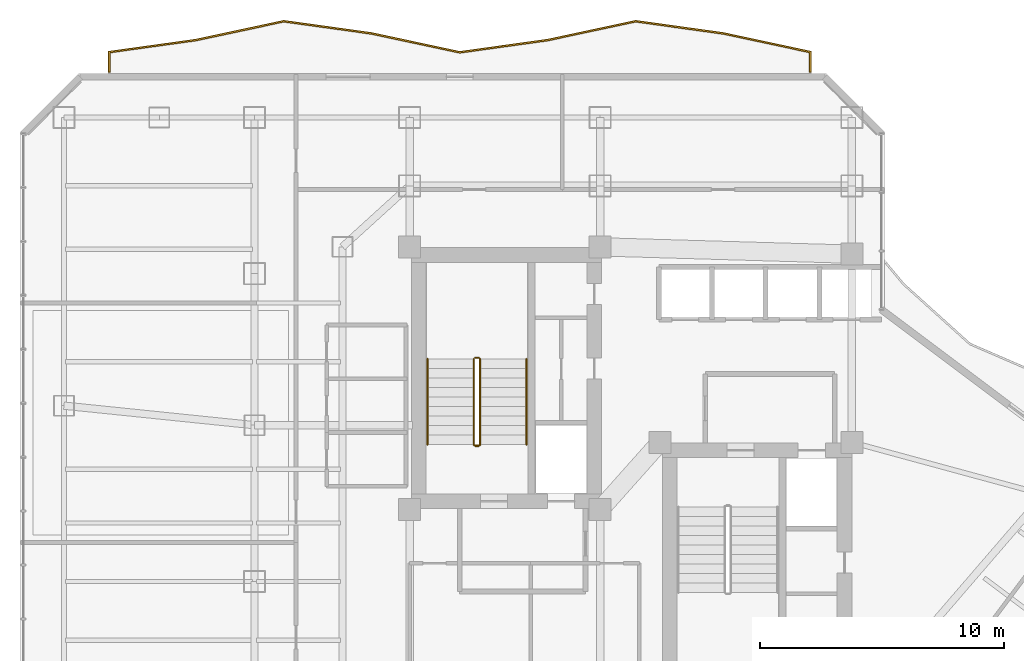
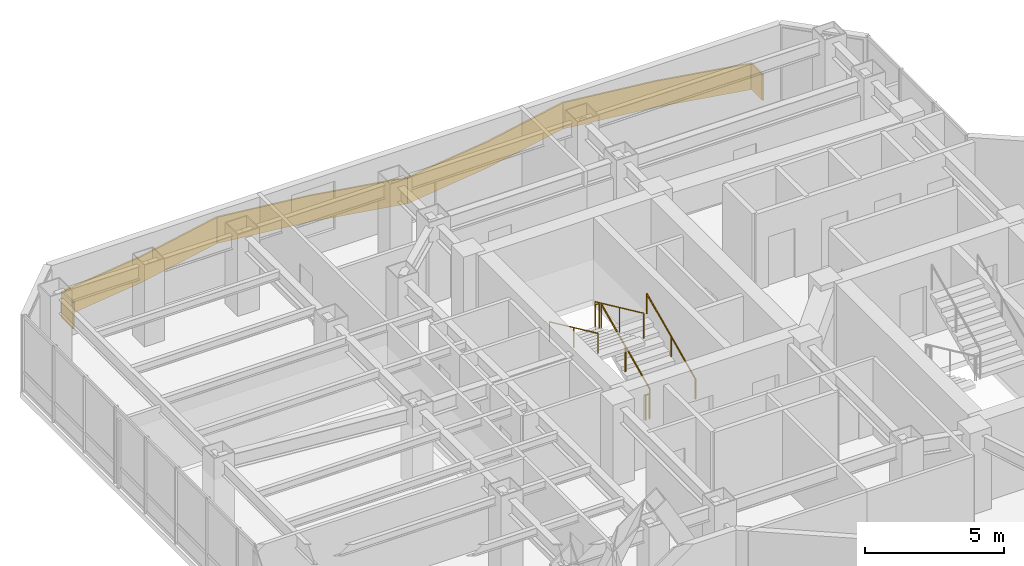
# One storey, part 28 of 29: 8 railings.
"""IFC4 building model written with IfcOpenShell, lengths in metres."""

from ifc_helpers import new_model, si_unit, direction, frame, origin, origin_2d, place, context, subcontext, project, spatial, polyline, circle, outline, extrude, material, layer, layer_set, type_object, element, save


model = new_model("IFC4")

# Units and contexts
model_context = context("Model", 3, precision=1e-05, world=origin(), true_north=direction((0.0, 1.0)))
body_context = subcontext(model_context, "Body", "Model", "MODEL_VIEW")
ifc_project = project(units=[si_unit("LENGTHUNIT", "METRE"), si_unit("AREAUNIT", "SQUARE_METRE"), si_unit("VOLUMEUNIT", "CUBIC_METRE"), si_unit("PLANEANGLEUNIT", "RADIAN"), si_unit("MASSUNIT", "GRAM", prefix="KILO")], contexts=[model_context])

# Site, building, storey
site_placement = place(None, origin())
site = spatial("IfcSite", under=ifc_project, at=site_placement, CompositionType="ELEMENT")
building_placement = place(site_placement, origin())
building = spatial("IfcBuilding", under=site, at=building_placement, Name="Hatsunagi Terrace Concourse", CompositionType="ELEMENT")
storey_placement = place(building_placement, frame((0.0, 0.0, 108.449951171875)))
storey = spatial("IfcBuildingStorey", under=building, at=storey_placement, Name="L28", CompositionType="ELEMENT", Elevation=108.449951171875)

# Railings
ifc_material_1 = material(Name="Laminated Glass and Stainless Steel Guard", Category="steel")
ifc_layer_1 = layer(ifc_material_1, 0.070068359375)
ifc_layer_set_1 = layer_set([ifc_layer_1], Name="BalconyGlassGuardRail_1150")
railing_type_1 = type_object("IfcRailingType", Name="BalconyGlassGuardRail_1150", PredefinedType="BALUSTRADE", material=ifc_layer_set_1)
railing_1_placement = place(storey_placement, origin())
element("IfcRailing", 1, at=railing_1_placement, inside=storey, type_object=railing_type_1, Name="Engawa Balcony Guard GRD-01 L28-BN-1", PredefinedType="BALUSTRADE", context=body_context, shape_type="SweptSolid", body=[
    extrude(outline(polyline([(13.215087890625, 50.449951171875), (13.284912109375, 50.449951171875), (13.284912109375, 51.239501953125), (16.815185546875, 51.7314453125), (20.4033203125, 52.49951171875), (23.98486328125, 52.00146484375), (27.5966796875, 51.2275390625), (31.215087890625, 51.7314453125), (34.80322265625, 52.49951171875), (38.385009765625, 52.00146484375), (41.9150390625, 51.24560546875), (41.9150390625, 50.449951171875), (41.985107421875, 50.449951171875), (41.985107421875, 51.30224609375), (38.397216796875, 52.070556640625), (34.80078125, 52.570556640625), (31.202880859375, 51.800537109375), (27.599365234375, 51.298583984375), (23.9970703125, 52.070556640625), (20.400634765625, 52.570556640625), (16.802978515625, 51.800537109375), (13.215087890625, 51.300537109375), (13.215087890625, 50.449951171875)])), origin(), (0.0, 0.0, 1.0), 1.150146484375),
])
ifc_material_2 = material(Name="Stainless steel", Category="steel")
ifc_layer_2 = layer(ifc_material_2, 0.044921875)
ifc_layer_set_2 = layer_set([ifc_layer_2], Name="StairPitchHandrail_Tower2000")
railing_type_2 = type_object("IfcRailingType", Name="StairPitchHandrail_Tower2000", PredefinedType="HANDRAIL", material=ifc_layer_set_2)
railing_2_placement = place(storey_placement, frame((30.330078125, 35.199951171875, 0.179931640625)))
element("IfcRailing", 2, at=railing_2_placement, inside=storey, type_object=railing_type_2, Name="L28 ST-A stair handrail 1", PredefinedType="HANDRAIL", context=body_context, shape_type="SweptSolid", body=[
    extrude(circle(Radius=0.02392578125, at=origin_2d()), frame((0.0, 0.0, 0.8759765625), z_axis=(0.0, 0.907948293929, 0.419082206198), x_axis=(-1.0, 0.0, 0.0)), (0.0, 0.0, 1.0), 3.865966796875),
    extrude(circle(Radius=0.02099609375, at=origin_2d()), origin(), (0.0, 0.0, 1.0), 0.851806640625),
    extrude(circle(Radius=0.02099609375, at=origin_2d()), frame((0.0, 1.7548828125, 0.81005859375)), (0.0, 0.0, 1.0), 0.851806640625),
    extrude(circle(Radius=0.02099609375, at=origin_2d()), frame((0.0, 3.510009765625, 1.6201171875)), (0.0, 0.0, 1.0), 0.851806640625),
])
railing_3_placement = place(storey_placement, frame((26.280029296875, 38.7099609375, 1.97998046875)))
element("IfcRailing", 3, at=railing_3_placement, inside=storey, type_object=railing_type_2, Name="L28 ST-A stair handrail 2", PredefinedType="HANDRAIL", context=body_context, shape_type="SweptSolid", body=[
    extrude(circle(Radius=0.02392578125, at=origin_2d()), frame((0.0, 0.0, 0.8759765625), z_axis=(0.0, -0.907948293929, 0.419082206198), x_axis=(1.0, 0.0, 0.0)), (0.0, 0.0, 1.0), 3.865966796875),
    extrude(circle(Radius=0.02099609375, at=origin_2d()), origin(), (0.0, 0.0, 1.0), 0.851806640625),
    extrude(circle(Radius=0.02099609375, at=origin_2d()), frame((0.0, -1.7548828125, 0.81005859375)), (0.0, 0.0, 1.0), 0.851806640625),
    extrude(circle(Radius=0.02099609375, at=origin_2d()), frame((0.0, -3.510009765625, 1.6201171875)), (0.0, 0.0, 1.0), 0.851806640625),
])
ifc_material_3 = material(Name="Stainless steel", Category="steel")
ifc_layer_3 = layer(ifc_material_3, 0.06005859375)
ifc_layer_set_3 = layer_set([ifc_layer_3], Name="StairWellGuard_Tower2000")
railing_type_3 = type_object("IfcRailingType", Name="StairWellGuard_Tower2000", PredefinedType="BALUSTRADE", material=ifc_layer_set_3)
railing_4_placement = place(storey_placement, frame((28.429931640625, 35.199951171875, 0.179931640625)))
element("IfcRailing", 4, at=railing_4_placement, inside=storey, type_object=railing_type_3, Name="L28 ST-A stair guard 1", PredefinedType="BALUSTRADE", context=body_context, shape_type="SweptSolid", body=[
    extrude(circle(Radius=0.02392578125, at=origin_2d()), frame((0.0, 0.0, 1.09619140625), z_axis=(0.0, 0.907948293929, 0.419082206198), x_axis=(-1.0, 0.0, 0.0)), (0.0, 0.0, 1.0), 3.865966796875),
    extrude(circle(Radius=0.02099609375, at=origin_2d()), origin(), (0.0, 0.0, 1.0), 1.072021484375),
    extrude(circle(Radius=0.02099609375, at=origin_2d()), frame((0.0, 1.7548828125, 0.81005859375)), (0.0, 0.0, 1.0), 1.072021484375),
    extrude(circle(Radius=0.02099609375, at=origin_2d()), frame((0.0, 3.510009765625, 1.6201171875)), (0.0, 0.0, 1.0), 1.072021484375),
])
railing_5_placement = place(storey_placement, frame((28.3798828125, 38.760009765625, 1.800048828125)))
element("IfcRailing", 5, at=railing_5_placement, inside=storey, type_object=railing_type_3, Name="L28 ST-A stair guard 2", PredefinedType="BALUSTRADE", context=body_context, shape_type="SweptSolid", body=[
    extrude(circle(Radius=0.02392578125, at=origin_2d()), frame((0.0, 0.0, 1.09619140625), z_axis=(-1.0, 0.0, 0.0), x_axis=(0.0, -1.0, 0.0)), (0.0, 0.0, 1.0), 0.14990234375),
    extrude(circle(Radius=0.02099609375, at=origin_2d()), origin(), (0.0, 0.0, 1.0), 1.072021484375),
    extrude(circle(Radius=0.02099609375, at=origin_2d()), frame((-0.14990234375, 0.0, 0.0)), (0.0, 0.0, 1.0), 1.072021484375),
])
railing_6_placement = place(storey_placement, frame((28.179931640625, 38.7099609375, 1.97998046875)))
element("IfcRailing", 6, at=railing_6_placement, inside=storey, type_object=railing_type_3, Name="L28 ST-A stair guard 3", PredefinedType="BALUSTRADE", context=body_context, shape_type="SweptSolid", body=[
    extrude(circle(Radius=0.02392578125, at=origin_2d()), frame((0.0, 0.0, 1.09619140625), z_axis=(0.0, -0.907948293929, 0.419082206198), x_axis=(1.0, 0.0, 0.0)), (0.0, 0.0, 1.0), 3.865966796875),
    extrude(circle(Radius=0.02099609375, at=origin_2d()), origin(), (0.0, 0.0, 1.0), 1.072021484375),
    extrude(circle(Radius=0.02099609375, at=origin_2d()), frame((0.0, -1.7548828125, 0.81005859375)), (0.0, 0.0, 1.0), 1.072021484375),
    extrude(circle(Radius=0.02099609375, at=origin_2d()), frame((0.0, -3.510009765625, 1.6201171875)), (0.0, 0.0, 1.0), 1.072021484375),
])
railing_7_placement = place(storey_placement, frame((28.3798828125, 35.14990234375, 0.0)))
element("IfcRailing", 7, at=railing_7_placement, inside=storey, type_object=railing_type_3, Name="L28 ST-A stair guard 4", PredefinedType="BALUSTRADE", context=body_context, shape_type="SweptSolid", body=[
    extrude(circle(Radius=0.02392578125, at=origin_2d()), frame((0.0, 0.0, 1.09619140625), z_axis=(-1.0, 0.0, 0.0), x_axis=(0.0, -1.0, 0.0)), (0.0, 0.0, 1.0), 0.14990234375),
    extrude(circle(Radius=0.02099609375, at=origin_2d()), origin(), (0.0, 0.0, 1.0), 1.072021484375),
    extrude(circle(Radius=0.02099609375, at=origin_2d()), frame((-0.14990234375, 0.0, 0.0)), (0.0, 0.0, 1.0), 1.072021484375),
])
ifc_material_4 = material(Name="Stainless Steel SUS316 Post-and-Rail Guard", Category="steel")
ifc_layer_4 = layer(ifc_material_4, 0.080078125)
ifc_layer_set_4 = layer_set([ifc_layer_4], Name="TerracePlantedGuardRail_1200")
railing_type_4 = type_object("IfcRailingType", Name="TerracePlantedGuardRail_1200", PredefinedType="GUARDRAIL", material=ifc_layer_set_4)
railing_8_placement = place(storey_placement, frame((28.179931640625, 35.179931640625, 0.0)))
element("IfcRailing", 8, at=railing_8_placement, inside=storey, type_object=railing_type_4, Name="Stair ST-A Well Closure Guard L28", PredefinedType="GUARDRAIL", context=body_context, shape_type="SweptSolid", body=[
    extrude(circle(Radius=0.02392578125, at=origin_2d()), frame((0.0, 0.0, 1.09619140625), z_axis=(1.0, 0.0, 0.0), x_axis=(0.0, 1.0, 0.0)), (0.0, 0.0, 1.0), 0.25),
    extrude(circle(Radius=0.02099609375, at=origin_2d()), origin(), (0.0, 0.0, 1.0), 1.072021484375),
    extrude(circle(Radius=0.02099609375, at=origin_2d()), frame((0.25, 0.0, 0.0)), (0.0, 0.0, 1.0), 1.072021484375),
])

save(model, "model.ifc")
